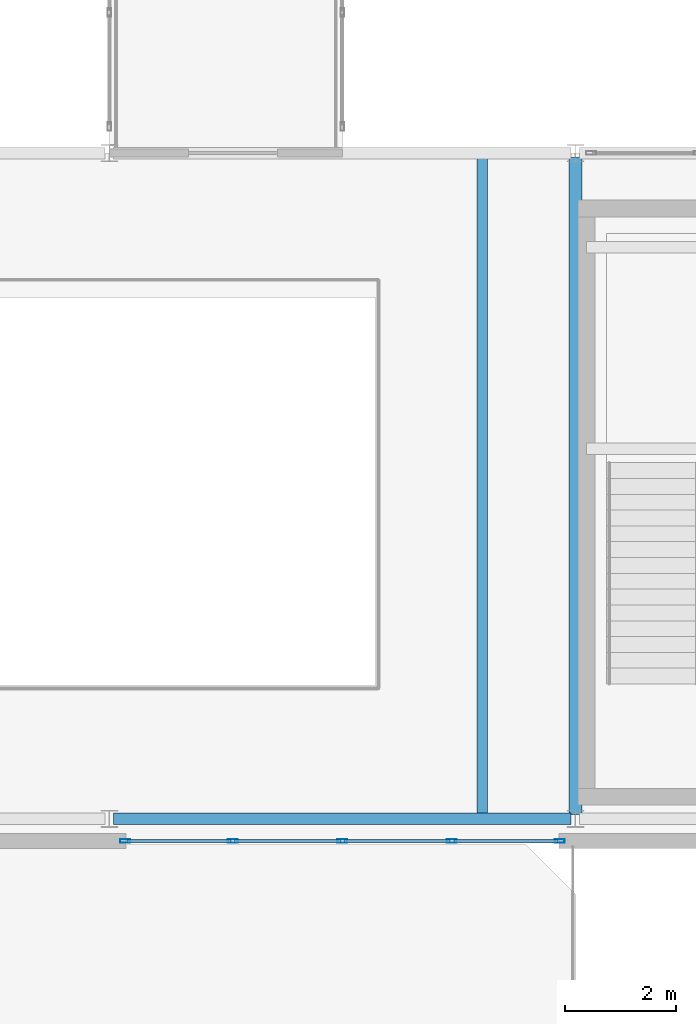
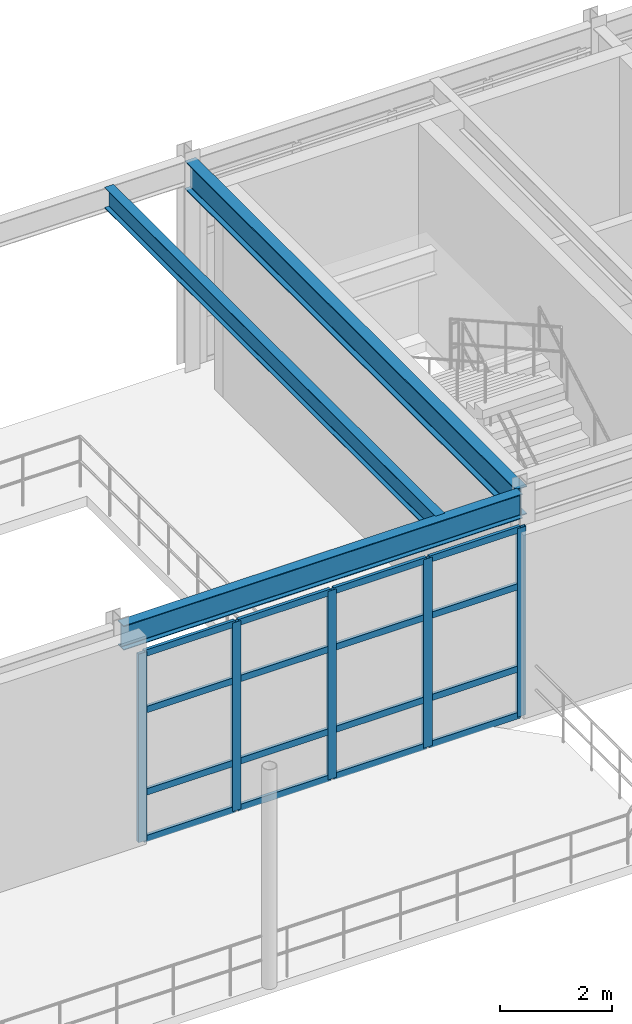
# One storey, part 39 of 116: 21 members, 3 beams, 1 element without a shape of its own.
"""IFC4 building model written with IfcOpenShell, lengths in metres."""

import ifcopenshell
import ifcopenshell.guid

model = None  # the IFC model being written
_history = None  # IfcOwnerHistory: only IFC2X3 demands one
_inside = {}  # id of a spatial element -> (the spatial element, [elements in it])
_under = {}  # id of a project, library or spatial element -> (it, [spatial elements below it])
_declared = {}  # id of a project -> (the project, [libraries it declares])
_typed = {}  # id of a type object -> (the type object, [elements of that type])
_made_of = {}  # id of a material, layer set ... -> (it, [elements and type objects made of it])


def new_model(schema):
    """Start an empty IFC model of exactly this schema.

    Asked for "IFC4X3", IfcOpenShell would pick the latest addendum, in which some entities
    have other attributes; the version numbers below select the first issue.
    IFC2X3 requires an IfcOwnerHistory on every rooted entity: one is made here for all.
    """
    global model, _history
    if schema == "IFC4X3":
        model = ifcopenshell.file(schema_version=(4, 3, 0, 0))
    else:
        model = ifcopenshell.file(schema=schema)
    _inside.clear()
    _under.clear()
    _declared.clear()
    _typed.clear()
    _made_of.clear()
    _history = None
    if model.schema == "IFC2X3":
        org = make("IfcOrganization", Name="unknown")
        user = make(
            "IfcPersonAndOrganization",
            ThePerson=make("IfcPerson", FamilyName="unknown"),
            TheOrganization=org,
        )
        app = make(
            "IfcApplication",
            ApplicationDeveloper=org,
            Version="unknown",
            ApplicationFullName="unknown",
            ApplicationIdentifier="unknown",
        )
        _history = make(
            "IfcOwnerHistory",
            OwningUser=user,
            OwningApplication=app,
            ChangeAction="ADDED",
            CreationDate=0,
        )
    return model


def make(cls, **values):
    """One entity of the class cls with the attributes given. An attribute that is None is left unset."""
    return model.create_entity(
        cls, **{name: value for name, value in values.items() if value is not None}
    )


def rooted(cls, **values):
    """An entity with a GlobalId (a new one), such as an element, a storey or a relation."""
    return make(cls, GlobalId=ifcopenshell.guid.new(), OwnerHistory=_history, **values)


def si_unit(unit_type, name, prefix=None):
    """IfcSIUnit, for example si_unit("LENGTHUNIT", "METRE", prefix="MILLI")."""
    return make("IfcSIUnit", UnitType=unit_type, Prefix=prefix, Name=name)


def assignment(units):
    """IfcUnitAssignment: the units of a project."""
    return None if units is None else make("IfcUnitAssignment", Units=units)


def point(xyz):
    """IfcCartesianPoint."""
    return None if xyz is None else make("IfcCartesianPoint", Coordinates=xyz)


def direction(xyz):
    """IfcDirection."""
    return None if xyz is None else make("IfcDirection", DirectionRatios=xyz)


def frame(location, z_axis=None, x_axis=None):
    """IfcAxis2Placement3D, a coordinate frame: its origin and axes. An axis left out is left unset."""
    return make(
        "IfcAxis2Placement3D",
        Location=point(location),
        Axis=direction(z_axis),
        RefDirection=direction(x_axis),
    )


def frame_2d(location, x_axis=None):
    """IfcAxis2Placement2D, a coordinate frame in the plane: its origin and x axis."""
    return make(
        "IfcAxis2Placement2D", Location=point(location), RefDirection=direction(x_axis)
    )


def origin():
    """The frame at (0, 0, 0) with its axes left unset."""
    return frame((0.0, 0.0, 0.0))


def origin_2d():
    """The frame at (0, 0) in the plane with its x axis left unset."""
    return frame_2d((0.0, 0.0))


def place(relative_to, where):
    """IfcLocalPlacement: puts the frame where relative to a parent placement (None: the world)."""
    return make(
        "IfcLocalPlacement", PlacementRelTo=relative_to, RelativePlacement=where
    )


def context(
    kind, dimensions, precision=None, world=None, true_north=None, identifier=None
):
    """IfcGeometricRepresentationContext, for example the 3D "Model" context."""
    return make(
        "IfcGeometricRepresentationContext",
        ContextIdentifier=identifier,
        ContextType=kind,
        CoordinateSpaceDimension=dimensions,
        Precision=precision,
        WorldCoordinateSystem=world,
        TrueNorth=true_north,
    )


def subcontext(parent, identifier, kind, view, scale=None):
    """IfcGeometricRepresentationSubContext, for example "Body" below "Model"."""
    return make(
        "IfcGeometricRepresentationSubContext",
        ContextIdentifier=identifier,
        ContextType=kind,
        ParentContext=parent,
        TargetScale=scale,
        TargetView=view,
    )


def project(units=None, contexts=None):
    """IfcProject with its units and contexts."""
    return rooted(
        "IfcProject",
        Name="project",
        RepresentationContexts=contexts,
        UnitsInContext=assignment(units),
    )


def spatial(cls, under=None, at=None, **own):
    """A site, building, storey or space (cls), placed at a placement, below another one or the project."""
    s = rooted(cls, ObjectPlacement=at, **own)
    if under is not None:
        _under.setdefault(under.id(), (under, []))[1].append(s)
    return s


def profile(cls, at=None, kind="AREA", **sizes):
    """A parametric profile (cls). Its sizes go by their IFC names, for example OverallWidth=200.0."""
    return make(cls, ProfileType=kind, Position=at, **sizes)


def hollow_rectangle(**sizes):
    """IfcRectangleHollowProfileDef."""
    return profile("IfcRectangleHollowProfileDef", **sizes)


def i_section(**sizes):
    """IfcIShapeProfileDef."""
    return profile("IfcIShapeProfileDef", **sizes)


def extrude(swept, where, along, depth):
    """IfcExtrudedAreaSolid: the profile swept, set in the frame where, extruded along a direction by depth."""
    return make(
        "IfcExtrudedAreaSolid",
        SweptArea=swept,
        Position=where,
        ExtrudedDirection=direction(along),
        Depth=depth,
    )


def shape(context_of_items, identifier, shape_type, items):
    """IfcShapeRepresentation: the items that make up one representation, for example the "Body"."""
    return make(
        "IfcShapeRepresentation",
        ContextOfItems=context_of_items,
        RepresentationIdentifier=identifier,
        RepresentationType=shape_type,
        Items=items,
    )


def material(Name=None, Category=None):
    """IfcMaterial."""
    return make("IfcMaterial", Name=Name, Category=Category)


def layer(
    of_material, thickness, ventilated=None, Name=None, Category=None, Priority=None
):
    """IfcMaterialLayer: one layer of a wall or slab, of a material (None: an air gap)."""
    return make(
        "IfcMaterialLayer",
        Material=of_material,
        LayerThickness=thickness,
        IsVentilated=ventilated,
        Name=Name,
        Category=Category,
        Priority=Priority,
    )


def layer_set(layers, Name=None):
    """IfcMaterialLayerSet."""
    return make("IfcMaterialLayerSet", MaterialLayers=layers, LayerSetName=Name)


def material_profile(
    of_material, cross_section, Name=None, Category=None, Priority=None
):
    """IfcMaterialProfile: a cross section and its material."""
    return make(
        "IfcMaterialProfile",
        Name=Name,
        Material=of_material,
        Profile=cross_section,
        Priority=Priority,
        Category=Category,
    )


def profile_set(profiles, Name=None, composite=None):
    """IfcMaterialProfileSet."""
    return make(
        "IfcMaterialProfileSet",
        Name=Name,
        MaterialProfiles=profiles,
        CompositeProfile=composite,
    )


def made_of(thing, what):
    """Note that an element or type object is made of a material, layer set ...; save() writes the relation."""
    if what is not None:
        _made_of.setdefault(what.id(), (what, []))[1].append(thing)
    return thing


def type_object(cls, material=None, **own):
    """A type object (cls), such as IfcWallType, which elements share."""
    return made_of(rooted(cls, **own), material)


def element(
    cls,
    number,
    at=None,
    inside=None,
    cuts=None,
    type_object=None,
    material=None,
    context=None,
    identifier="Body",
    shape_type=None,
    held_by="IfcProductDefinitionShape",
    body=None,
    shapes=None,
    **own,
):
    """One element of the class cls, such as IfcWall. Its Tag is "e" and its number.

    at: its placement. inside: the storey or other place that contains it. cuts: it is an
    opening in that element (IfcRelVoidsElement). A single representation is given by context,
    identifier, shape_type and body (its items); several are given by shapes. held_by: the class
    of the entity that holds the representations. save() writes the other relations.
    """
    e = rooted(cls, Tag="e%d" % number, ObjectPlacement=at, **own)
    if body is not None:
        shapes = [shape(context, identifier, shape_type, body)]
    if shapes is not None:
        e.Representation = make(held_by, Representations=shapes)
    if inside is not None:
        _inside.setdefault(inside.id(), (inside, []))[1].append(e)
    if cuts is not None:
        rooted(
            "IfcRelVoidsElement", RelatingBuildingElement=cuts, RelatedOpeningElement=e
        )
    if type_object is not None:
        _typed.setdefault(type_object.id(), (type_object, []))[1].append(e)
    return made_of(e, material)


def aggregate(whole, parts):
    """IfcRelAggregates: a whole, such as a stair, and the parts it consists of."""
    return rooted("IfcRelAggregates", RelatingObject=whole, RelatedObjects=parts)


def save(model, path):
    """Write the relations noted so far, then the file.

    IfcRelAggregates (storeys below a building ...), IfcRelContainedInSpatialStructure (elements
    in a storey), IfcRelDefinesByType, IfcRelAssociatesMaterial and IfcRelDeclares: one each for
    every whole, place, type object, material and project.
    """
    for whole, parts in _under.values():
        aggregate(whole, parts)
    for where, things in _inside.values():
        rooted(
            "IfcRelContainedInSpatialStructure",
            RelatedElements=things,
            RelatingStructure=where,
        )
    for kind, things in _typed.values():
        rooted("IfcRelDefinesByType", RelatedObjects=things, RelatingType=kind)
    for what, things in _made_of.values():
        rooted("IfcRelAssociatesMaterial", RelatedObjects=things, RelatingMaterial=what)
    for by, libraries in _declared.values():
        rooted("IfcRelDeclares", RelatingContext=by, RelatedDefinitions=libraries)
    model.write(path)


model = new_model("IFC4")

# Units and contexts
model_context = context("Model", 3, precision=1e-05, world=origin(), true_north=direction((0.0, 1.0)))
body_context = subcontext(model_context, "Body", "Model", "MODEL_VIEW")
ifc_project = project(units=[si_unit("LENGTHUNIT", "METRE"), si_unit("AREAUNIT", "SQUARE_METRE"), si_unit("VOLUMEUNIT", "CUBIC_METRE"), si_unit("PLANEANGLEUNIT", "RADIAN"), si_unit("MASSUNIT", "GRAM", prefix="KILO")], contexts=[model_context])

# Site, building, storey
site_placement = place(None, origin())
site = spatial("IfcSite", under=ifc_project, at=site_placement, CompositionType="ELEMENT")
building_placement = place(site_placement, origin())
building = spatial("IfcBuilding", under=site, at=building_placement, Name="Selat Folded Stagehouse", CompositionType="ELEMENT")
storey_placement = place(building_placement, frame((0.0, 0.0, 5.39990234375)))
storey = spatial("IfcBuildingStorey", under=building, at=storey_placement, Name="L01", CompositionType="ELEMENT", Elevation=5.39990234375)

# Beams
ifc_material_1 = material(Name="Steel S355", Category="steel")
ifc_material_profile_1 = material_profile(ifc_material_1, i_section(OverallWidth=0.209228515625, OverallDepth=0.533203125, WebThickness=0.010009765625, FlangeThickness=0.015625, FilletRadius=0.0126953125, at=origin_2d()), Name="UKB 533x210x92")
ifc_profile_set_1 = profile_set([ifc_material_profile_1], Name="Steel S355")
beam_type_1 = type_object("IfcBeamType", Name="BM-GIRD-533x210x92", PredefinedType="BEAM", material=ifc_profile_set_1)
beam_1_placement = place(storey_placement, frame((67.277099609375, 5.800048828125, 4.3134765625), z_axis=(1.0, 0.0, 0.0), x_axis=(0.0, 1.0, 0.0)))
element("IfcBeam", 1, at=beam_1_placement, inside=storey, type_object=beam_type_1, Name="L01 primary x-girder 0760", PredefinedType="BEAM", context=body_context, shape_type="SweptSolid", body=[
    extrude(i_section(OverallWidth=0.209228515625, OverallDepth=0.533203125, WebThickness=0.010009765625, FlangeThickness=0.015625, FilletRadius=0.0126953125, at=origin_2d()), origin(), (0.0, 0.0, 1.0), 8.245849609375),
])
ifc_material_profile_2 = material_profile(ifc_material_1, i_section(OverallWidth=0.230224609375, OverallDepth=0.6171875, WebThickness=0.01318359375, FlangeThickness=0.022216796875, FilletRadius=0.0126953125, at=origin_2d()), Name="UKB 610x229x140")
ifc_profile_set_2 = profile_set([ifc_material_profile_2], Name="Steel S355")
beam_type_2 = type_object("IfcBeamType", Name="BM-GIRD-610x229x140", PredefinedType="BEAM", material=ifc_profile_set_2)
beam_2_placement = place(storey_placement, frame((75.60009765625, 5.876953125, 4.271484375), z_axis=(0.0, 1.0, 0.0), x_axis=(-1.0, 0.0, 0.0)))
element("IfcBeam", 2, at=beam_2_placement, inside=storey, type_object=beam_type_2, Name="L01 primary y-girder 0827", PredefinedType="BEAM", context=body_context, shape_type="SweptSolid", body=[
    extrude(i_section(OverallWidth=0.230224609375, OverallDepth=0.6171875, WebThickness=0.01318359375, FlangeThickness=0.022216796875, FilletRadius=0.0126953125, at=origin_2d()), origin(), (0.0, 0.0, 1.0), 11.845947265625),
])

# Curtain wall, members
ifc_material_2 = material(Name="Aluminium 6063-T6", Category="aluminium")
ifc_layer = layer(ifc_material_2, 0.2099609375)
ifc_layer_set = layer_set([ifc_layer], Name="Aluminium 6063-T6")
curtain_wall_type = type_object("IfcCurtainWallType", Name="CW-FYR-SOUTH", PredefinedType="NOTDEFINED", material=ifc_layer_set)
curtain_wall_placement = place(storey_placement, origin())
curtain_wall = element("IfcCurtainWall", 3, at=curtain_wall_placement, inside=storey, type_object=curtain_wall_type, Name="L01 curtain wall CW-FYR-L01-03", PredefinedType="NOTDEFINED")
ifc_material_profile_3 = material_profile(ifc_material_2, hollow_rectangle(XDim=0.06494140625, YDim=0.179931640625, WallThickness=0.00390625, at=origin_2d()), Name="ALU 180x65x4.0")
ifc_profile_set_3 = profile_set([ifc_material_profile_3], Name="Aluminium 6063-T6")
member_type_1 = type_object("IfcMemberType", Name="CWM-MUL-180x65", PredefinedType="MULLION", material=ifc_profile_set_3)
member_1_placement = place(storey_placement, frame((75.3173828125, 5.39990234375, 0.0), z_axis=(0.0, 0.0, 1.0), x_axis=(0.0, -1.0, 0.0)))
member_1 = element("IfcMember", 4, at=member_1_placement, type_object=member_type_1, Name="CW-04 mullion 1", PredefinedType="MULLION", context=body_context, shape_type="SweptSolid", body=[
    extrude(hollow_rectangle(XDim=0.06494140625, YDim=0.179931640625, WallThickness=0.00390625, at=origin_2d()), origin(), (0.0, 0.0, 1.0), 4.1201171875),
])
member_2_placement = place(storey_placement, frame((73.375, 5.39990234375, 0.0), z_axis=(0.0, 0.0, 1.0), x_axis=(0.0, -1.0, 0.0)))
member_2 = element("IfcMember", 5, at=member_2_placement, type_object=member_type_1, Name="CW-04 mullion 2", PredefinedType="MULLION", context=body_context, shape_type="SweptSolid", body=[
    extrude(hollow_rectangle(XDim=0.06494140625, YDim=0.179931640625, WallThickness=0.00390625, at=origin_2d()), origin(), (0.0, 0.0, 1.0), 4.1201171875),
])
member_3_placement = place(storey_placement, frame((71.39990234375, 5.39990234375, 0.0), z_axis=(0.0, 0.0, 1.0), x_axis=(0.0, -1.0, 0.0)))
member_3 = element("IfcMember", 6, at=member_3_placement, type_object=member_type_1, Name="CW-04 mullion 3", PredefinedType="MULLION", context=body_context, shape_type="SweptSolid", body=[
    extrude(hollow_rectangle(XDim=0.06494140625, YDim=0.179931640625, WallThickness=0.00390625, at=origin_2d()), origin(), (0.0, 0.0, 1.0), 4.1201171875),
])
member_4_placement = place(storey_placement, frame((69.425048828125, 5.39990234375, 0.0), z_axis=(0.0, 0.0, 1.0), x_axis=(0.0, -1.0, 0.0)))
member_4 = element("IfcMember", 7, at=member_4_placement, type_object=member_type_1, Name="CW-04 mullion 4", PredefinedType="MULLION", context=body_context, shape_type="SweptSolid", body=[
    extrude(hollow_rectangle(XDim=0.06494140625, YDim=0.179931640625, WallThickness=0.00390625, at=origin_2d()), origin(), (0.0, 0.0, 1.0), 4.1201171875),
])
member_5_placement = place(storey_placement, frame((67.482421875, 5.39990234375, 0.0), z_axis=(0.0, 0.0, 1.0), x_axis=(0.0, -1.0, 0.0)))
member_5 = element("IfcMember", 8, at=member_5_placement, type_object=member_type_1, Name="CW-04 mullion 5", PredefinedType="MULLION", context=body_context, shape_type="SweptSolid", body=[
    extrude(hollow_rectangle(XDim=0.06494140625, YDim=0.179931640625, WallThickness=0.00390625, at=origin_2d()), origin(), (0.0, 0.0, 1.0), 4.1201171875),
])
ifc_material_profile_4 = material_profile(ifc_material_2, hollow_rectangle(XDim=0.06494140625, YDim=0.139892578125, WallThickness=0.00390625, at=origin_2d()), Name="ALU 140x65x4.0")
ifc_profile_set_4 = profile_set([ifc_material_profile_4], Name="Aluminium 6063-T6")
member_type_2 = type_object("IfcMemberType", Name="CWM-TRN-140x65", PredefinedType="USERDEFINED", material=ifc_profile_set_4)
member_6_placement = place(storey_placement, frame((75.284912109375, 5.39990234375, 0.03271484375), z_axis=(-1.0, 0.0, 0.0), x_axis=(0.0, -1.0, 0.0)))
member_6 = element("IfcMember", 9, at=member_6_placement, type_object=member_type_2, Name="CW-04 transom 1.1", ObjectType="TRANSOM", PredefinedType="USERDEFINED", context=body_context, shape_type="SweptSolid", body=[
    extrude(hollow_rectangle(XDim=0.06494140625, YDim=0.139892578125, WallThickness=0.00390625, at=origin_2d()), origin(), (0.0, 0.0, 1.0), 1.87744140625),
])
member_7_placement = place(storey_placement, frame((75.284912109375, 5.39990234375, 1.050048828125), z_axis=(-1.0, 0.0, 0.0), x_axis=(0.0, -1.0, 0.0)))
member_7 = element("IfcMember", 10, at=member_7_placement, type_object=member_type_2, Name="CW-04 transom 1.2", ObjectType="TRANSOM", PredefinedType="USERDEFINED", context=body_context, shape_type="SweptSolid", body=[
    extrude(hollow_rectangle(XDim=0.06494140625, YDim=0.139892578125, WallThickness=0.00390625, at=origin_2d()), origin(), (0.0, 0.0, 1.0), 1.87744140625),
])
member_8_placement = place(storey_placement, frame((75.284912109375, 5.39990234375, 2.85009765625), z_axis=(-1.0, 0.0, 0.0), x_axis=(0.0, -1.0, 0.0)))
member_8 = element("IfcMember", 11, at=member_8_placement, type_object=member_type_2, Name="CW-04 transom 1.3", ObjectType="TRANSOM", PredefinedType="USERDEFINED", context=body_context, shape_type="SweptSolid", body=[
    extrude(hollow_rectangle(XDim=0.06494140625, YDim=0.139892578125, WallThickness=0.00390625, at=origin_2d()), origin(), (0.0, 0.0, 1.0), 1.87744140625),
])
member_9_placement = place(storey_placement, frame((75.284912109375, 5.39990234375, 4.087646484375), z_axis=(-1.0, 0.0, 0.0), x_axis=(0.0, -1.0, 0.0)))
member_9 = element("IfcMember", 12, at=member_9_placement, type_object=member_type_2, Name="CW-04 transom 1.4", ObjectType="TRANSOM", PredefinedType="USERDEFINED", context=body_context, shape_type="SweptSolid", body=[
    extrude(hollow_rectangle(XDim=0.06494140625, YDim=0.139892578125, WallThickness=0.00390625, at=origin_2d()), origin(), (0.0, 0.0, 1.0), 1.87744140625),
])
member_10_placement = place(storey_placement, frame((73.342529296875, 5.39990234375, 0.03271484375), z_axis=(-1.0, 0.0, 0.0), x_axis=(0.0, -1.0, 0.0)))
member_10 = element("IfcMember", 13, at=member_10_placement, type_object=member_type_2, Name="CW-04 transom 2.1", ObjectType="TRANSOM", PredefinedType="USERDEFINED", context=body_context, shape_type="SweptSolid", body=[
    extrude(hollow_rectangle(XDim=0.06494140625, YDim=0.139892578125, WallThickness=0.00390625, at=origin_2d()), origin(), (0.0, 0.0, 1.0), 1.909912109375),
])
member_11_placement = place(storey_placement, frame((73.342529296875, 5.39990234375, 1.050048828125), z_axis=(-1.0, 0.0, 0.0), x_axis=(0.0, -1.0, 0.0)))
member_11 = element("IfcMember", 14, at=member_11_placement, type_object=member_type_2, Name="CW-04 transom 2.2", ObjectType="TRANSOM", PredefinedType="USERDEFINED", context=body_context, shape_type="SweptSolid", body=[
    extrude(hollow_rectangle(XDim=0.06494140625, YDim=0.139892578125, WallThickness=0.00390625, at=origin_2d()), origin(), (0.0, 0.0, 1.0), 1.909912109375),
])
member_12_placement = place(storey_placement, frame((73.342529296875, 5.39990234375, 2.85009765625), z_axis=(-1.0, 0.0, 0.0), x_axis=(0.0, -1.0, 0.0)))
member_12 = element("IfcMember", 15, at=member_12_placement, type_object=member_type_2, Name="CW-04 transom 2.3", ObjectType="TRANSOM", PredefinedType="USERDEFINED", context=body_context, shape_type="SweptSolid", body=[
    extrude(hollow_rectangle(XDim=0.06494140625, YDim=0.139892578125, WallThickness=0.00390625, at=origin_2d()), origin(), (0.0, 0.0, 1.0), 1.909912109375),
])
member_13_placement = place(storey_placement, frame((73.342529296875, 5.39990234375, 4.087646484375), z_axis=(-1.0, 0.0, 0.0), x_axis=(0.0, -1.0, 0.0)))
member_13 = element("IfcMember", 16, at=member_13_placement, type_object=member_type_2, Name="CW-04 transom 2.4", ObjectType="TRANSOM", PredefinedType="USERDEFINED", context=body_context, shape_type="SweptSolid", body=[
    extrude(hollow_rectangle(XDim=0.06494140625, YDim=0.139892578125, WallThickness=0.00390625, at=origin_2d()), origin(), (0.0, 0.0, 1.0), 1.909912109375),
])
member_14_placement = place(storey_placement, frame((71.367431640625, 5.39990234375, 0.03271484375), z_axis=(-1.0, 0.0, 0.0), x_axis=(0.0, -1.0, 0.0)))
member_14 = element("IfcMember", 17, at=member_14_placement, type_object=member_type_2, Name="CW-04 transom 3.1", ObjectType="TRANSOM", PredefinedType="USERDEFINED", context=body_context, shape_type="SweptSolid", body=[
    extrude(hollow_rectangle(XDim=0.06494140625, YDim=0.139892578125, WallThickness=0.00390625, at=origin_2d()), origin(), (0.0, 0.0, 1.0), 1.909912109375),
])
member_15_placement = place(storey_placement, frame((71.367431640625, 5.39990234375, 1.050048828125), z_axis=(-1.0, 0.0, 0.0), x_axis=(0.0, -1.0, 0.0)))
member_15 = element("IfcMember", 18, at=member_15_placement, type_object=member_type_2, Name="CW-04 transom 3.2", ObjectType="TRANSOM", PredefinedType="USERDEFINED", context=body_context, shape_type="SweptSolid", body=[
    extrude(hollow_rectangle(XDim=0.06494140625, YDim=0.139892578125, WallThickness=0.00390625, at=origin_2d()), origin(), (0.0, 0.0, 1.0), 1.909912109375),
])
member_16_placement = place(storey_placement, frame((71.367431640625, 5.39990234375, 2.85009765625), z_axis=(-1.0, 0.0, 0.0), x_axis=(0.0, -1.0, 0.0)))
member_16 = element("IfcMember", 19, at=member_16_placement, type_object=member_type_2, Name="CW-04 transom 3.3", ObjectType="TRANSOM", PredefinedType="USERDEFINED", context=body_context, shape_type="SweptSolid", body=[
    extrude(hollow_rectangle(XDim=0.06494140625, YDim=0.139892578125, WallThickness=0.00390625, at=origin_2d()), origin(), (0.0, 0.0, 1.0), 1.909912109375),
])
member_17_placement = place(storey_placement, frame((71.367431640625, 5.39990234375, 4.087646484375), z_axis=(-1.0, 0.0, 0.0), x_axis=(0.0, -1.0, 0.0)))
member_17 = element("IfcMember", 20, at=member_17_placement, type_object=member_type_2, Name="CW-04 transom 3.4", ObjectType="TRANSOM", PredefinedType="USERDEFINED", context=body_context, shape_type="SweptSolid", body=[
    extrude(hollow_rectangle(XDim=0.06494140625, YDim=0.139892578125, WallThickness=0.00390625, at=origin_2d()), origin(), (0.0, 0.0, 1.0), 1.909912109375),
])
member_18_placement = place(storey_placement, frame((69.392578125, 5.39990234375, 0.03271484375), z_axis=(-1.0, 0.0, 0.0), x_axis=(0.0, -1.0, 0.0)))
member_18 = element("IfcMember", 21, at=member_18_placement, type_object=member_type_2, Name="CW-04 transom 4.1", ObjectType="TRANSOM", PredefinedType="USERDEFINED", context=body_context, shape_type="SweptSolid", body=[
    extrude(hollow_rectangle(XDim=0.06494140625, YDim=0.139892578125, WallThickness=0.00390625, at=origin_2d()), origin(), (0.0, 0.0, 1.0), 1.877685546875),
])
member_19_placement = place(storey_placement, frame((69.392578125, 5.39990234375, 1.050048828125), z_axis=(-1.0, 0.0, 0.0), x_axis=(0.0, -1.0, 0.0)))
member_19 = element("IfcMember", 22, at=member_19_placement, type_object=member_type_2, Name="CW-04 transom 4.2", ObjectType="TRANSOM", PredefinedType="USERDEFINED", context=body_context, shape_type="SweptSolid", body=[
    extrude(hollow_rectangle(XDim=0.06494140625, YDim=0.139892578125, WallThickness=0.00390625, at=origin_2d()), origin(), (0.0, 0.0, 1.0), 1.877685546875),
])
member_20_placement = place(storey_placement, frame((69.392578125, 5.39990234375, 2.85009765625), z_axis=(-1.0, 0.0, 0.0), x_axis=(0.0, -1.0, 0.0)))
member_20 = element("IfcMember", 23, at=member_20_placement, type_object=member_type_2, Name="CW-04 transom 4.3", ObjectType="TRANSOM", PredefinedType="USERDEFINED", context=body_context, shape_type="SweptSolid", body=[
    extrude(hollow_rectangle(XDim=0.06494140625, YDim=0.139892578125, WallThickness=0.00390625, at=origin_2d()), origin(), (0.0, 0.0, 1.0), 1.877685546875),
])
member_21_placement = place(storey_placement, frame((69.392578125, 5.39990234375, 4.087646484375), z_axis=(-1.0, 0.0, 0.0), x_axis=(0.0, -1.0, 0.0)))
member_21 = element("IfcMember", 24, at=member_21_placement, type_object=member_type_2, Name="CW-04 transom 4.4", ObjectType="TRANSOM", PredefinedType="USERDEFINED", context=body_context, shape_type="SweptSolid", body=[
    extrude(hollow_rectangle(XDim=0.06494140625, YDim=0.139892578125, WallThickness=0.00390625, at=origin_2d()), origin(), (0.0, 0.0, 1.0), 1.877685546875),
])
aggregate(curtain_wall, [member_1, member_2, member_3, member_4, member_5, member_6, member_7, member_8, member_9, member_10, member_11, member_12, member_13, member_14, member_15, member_16, member_17, member_18, member_19, member_20, member_21])

# Beam
ifc_material_profile_5 = material_profile(ifc_material_1, i_section(OverallWidth=0.18994140625, OverallDepth=0.453369140625, WebThickness=0.008544921875, FlangeThickness=0.0126953125, FilletRadius=0.01025390625, at=origin_2d()), Name="UKB 457x191x67")
ifc_profile_set_5 = profile_set([ifc_material_profile_5], Name="Steel S355")
beam_type_3 = type_object("IfcBeamType", Name="JST-457x191x67", PredefinedType="JOIST", material=ifc_profile_set_5)
beam_3_placement = place(storey_placement, frame((73.919921875, 5.873291015625, 4.353515625), z_axis=(0.0, 1.0, 0.0), x_axis=(-1.0, 0.0, 0.0)))
element("IfcBeam", 25, at=beam_3_placement, inside=storey, type_object=beam_type_3, Name="L01 secondary floor joist 0880", PredefinedType="JOIST", context=body_context, shape_type="SweptSolid", body=[
    extrude(i_section(OverallWidth=0.18994140625, OverallDepth=0.453369140625, WebThickness=0.008544921875, FlangeThickness=0.0126953125, FilletRadius=0.01025390625, at=origin_2d()), origin(), (0.0, 0.0, 1.0), 11.853515625),
])

save(model, "model.ifc")
